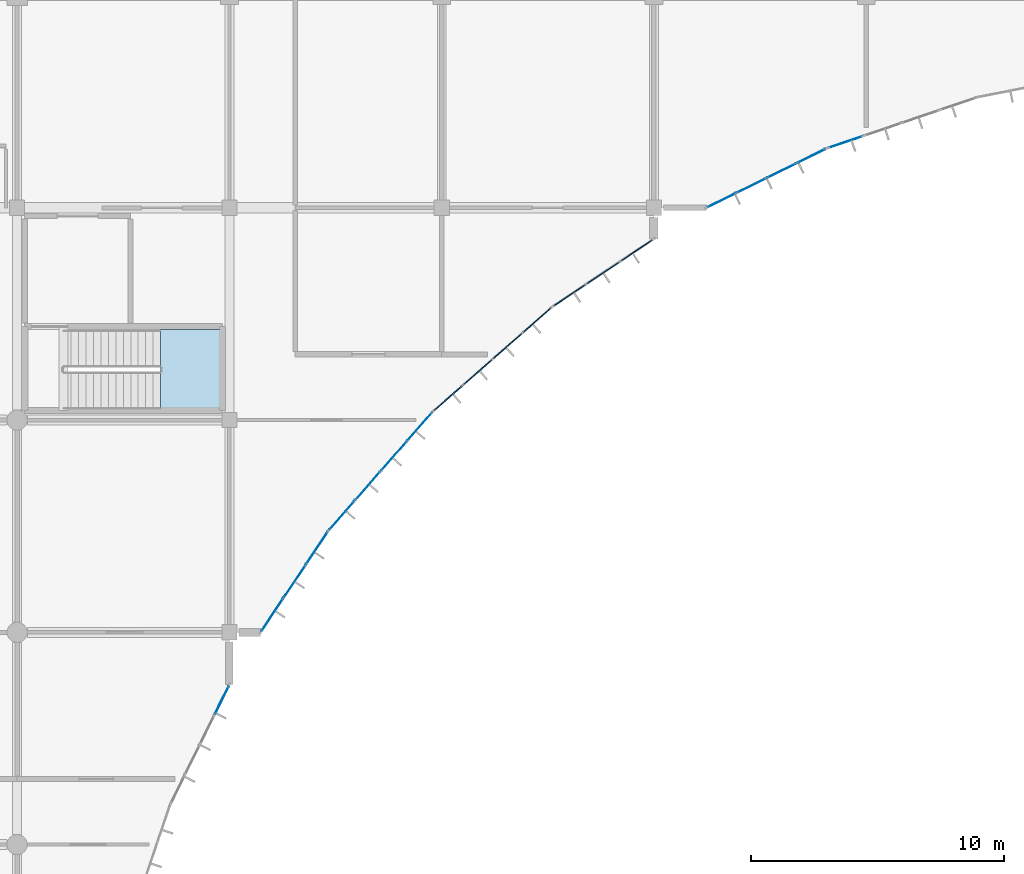
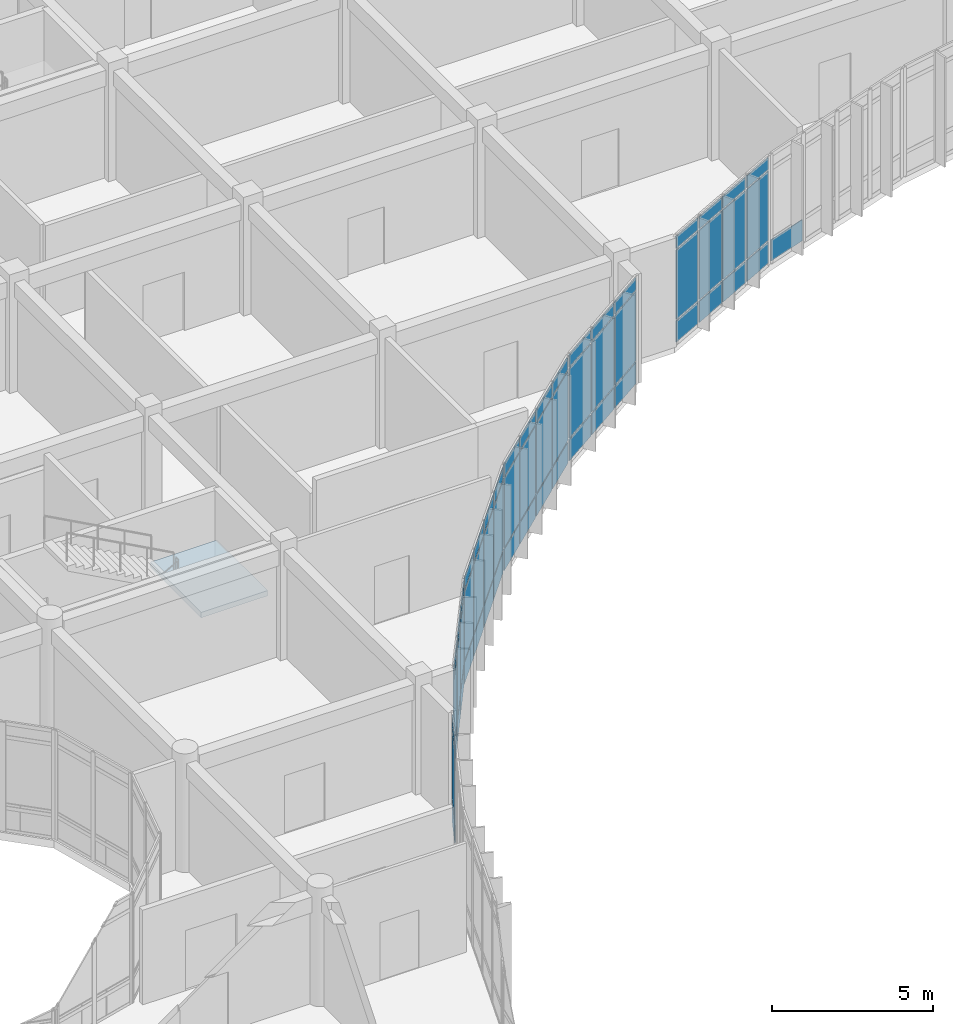
# One storey, part 88 of 144: 58 plates, 1 slab, 8 elements without a shape of their own.
"""IFC4 building model written with IfcOpenShell, lengths in metres."""

from ifc_helpers import new_model, si_unit, direction, frame, origin, origin_2d, place, context, subcontext, project, spatial, polyline, rectangle, outline, extrude, material, layer, layer_set, type_object, element, aggregate, save


model = new_model("IFC4")

# Units and contexts
model_context = context("Model", 3, precision=1e-05, world=origin(), true_north=direction((0.0, 1.0)))
body_context = subcontext(model_context, "Body", "Model", "MODEL_VIEW")
ifc_project = project(units=[si_unit("LENGTHUNIT", "METRE"), si_unit("AREAUNIT", "SQUARE_METRE"), si_unit("VOLUMEUNIT", "CUBIC_METRE"), si_unit("PLANEANGLEUNIT", "RADIAN"), si_unit("MASSUNIT", "GRAM", prefix="KILO")], contexts=[model_context])

# Site, building, storey
site_placement = place(None, origin())
site = spatial("IfcSite", under=ifc_project, at=site_placement, CompositionType="ELEMENT")
building_placement = place(site_placement, origin())
building = spatial("IfcBuilding", under=site, at=building_placement, Name="Bramfleet General Hospital", CompositionType="ELEMENT")
storey_placement = place(building_placement, frame((0.0, 0.0, 4.800048828125)))
storey = spatial("IfcBuildingStorey", under=building, at=storey_placement, Name="L01", CompositionType="ELEMENT", Elevation=4.800048828125)

# Curtain wall, plate
ifc_material_1 = material(Name="Anodised aluminium and low-E triple glazing", Category="aluminium")
ifc_layer_1 = layer(ifc_material_1, 0.179931640625, Name="CWT-CW-17")
ifc_layer_set_1 = layer_set([ifc_layer_1], Name="Anodised aluminium and low-E triple glazing")
curtain_wall_type_1 = type_object("IfcCurtainWallType", Name="CWT-CW-17", PredefinedType="USERDEFINED", material=ifc_layer_set_1)
curtain_wall_1_placement = place(storey_placement, origin())
curtain_wall_1 = element("IfcCurtainWall", 1, at=curtain_wall_1_placement, inside=storey, type_object=curtain_wall_type_1, Name="L01 Curtain Wall 53", ObjectType="Stick curtain wall", PredefinedType="USERDEFINED")
ifc_material_2 = material(Name="Low-E laminated safety glass", Category="glass")
ifc_layer_2 = layer(ifc_material_2, 0.028076171875, Name="CWP-GLZ-1")
ifc_layer_set_2 = layer_set([ifc_layer_2], Name="Low-E laminated safety glass")
plate_type_1 = type_object("IfcPlateType", Name="CWP-GLZ-1", PredefinedType="CURTAIN_PANEL", material=ifc_layer_set_2)
plate_1_placement = place(storey_placement, frame((158.790771484375, 86.603759765625, 0.06494140625), z_axis=(0.0, 0.0, 1.0), x_axis=(-0.946949276617, -0.321383054181, 0.0)))
plate_1 = element("IfcPlate", 2, at=plate_1_placement, type_object=plate_type_1, Name="CW-17 panel 4.1", PredefinedType="CURTAIN_PANEL", context=body_context, shape_type="SweptSolid", body=[
    extrude(rectangle(XDim=1.46484375, YDim=0.028076171875, at=origin_2d()), origin(), (0.0, 0.0, 1.0), 0.802490234375),
])
aggregate(curtain_wall_1, [plate_1])

# Curtain wall, plates
ifc_layer_3 = layer(ifc_material_1, 0.179931640625, Name="CWT-CW-03")
ifc_layer_set_3 = layer_set([ifc_layer_3], Name="Anodised aluminium and low-E triple glazing")
curtain_wall_type_2 = type_object("IfcCurtainWallType", Name="CWT-CW-03", PredefinedType="USERDEFINED", material=ifc_layer_set_3)
curtain_wall_2_placement = place(storey_placement, origin())
curtain_wall_2 = element("IfcCurtainWall", 3, at=curtain_wall_2_placement, inside=storey, type_object=curtain_wall_type_2, Name="L01 Curtain Wall 57", ObjectType="Unitised curtain wall", PredefinedType="USERDEFINED")
plate_2_placement = place(storey_placement, frame((141.929931640625, 75.337890625, 0.06494140625), z_axis=(0.0, 0.0, 1.0), x_axis=(-0.659406233864, -0.75178681735, 0.0)))
plate_2 = element("IfcPlate", 4, at=plate_2_placement, type_object=plate_type_1, Name="CW-03 panel 1.1", PredefinedType="CURTAIN_PANEL", context=body_context, shape_type="SweptSolid", body=[
    extrude(rectangle(XDim=1.464599609375, YDim=0.028076171875, at=origin_2d()), origin(), (0.0, 0.0, 1.0), 0.802490234375),
])
plate_3_placement = place(storey_placement, frame((141.929931640625, 75.337890625, 0.932373046875), z_axis=(0.0, 0.0, 1.0), x_axis=(-0.659406233864, -0.75178681735, 0.0)))
plate_3 = element("IfcPlate", 5, at=plate_3_placement, type_object=plate_type_1, Name="CW-03 panel 1.2", PredefinedType="CURTAIN_PANEL", context=body_context, shape_type="SweptSolid", body=[
    extrude(rectangle(XDim=1.464599609375, YDim=0.028076171875, at=origin_2d()), origin(), (0.0, 0.0, 1.0), 2.625),
])
plate_4_placement = place(storey_placement, frame((141.929931640625, 75.337890625, 3.62255859375), z_axis=(0.0, 0.0, 1.0), x_axis=(-0.659406233864, -0.75178681735, 0.0)))
plate_4 = element("IfcPlate", 6, at=plate_4_placement, type_object=plate_type_1, Name="CW-03 panel 1.3", PredefinedType="CURTAIN_PANEL", context=body_context, shape_type="SweptSolid", body=[
    extrude(rectangle(XDim=1.464599609375, YDim=0.028076171875, at=origin_2d()), origin(), (0.0, 0.0, 1.0), 0.452392578125),
])
plate_5_placement = place(storey_placement, frame((140.906494140625, 74.1708984375, 0.06494140625), z_axis=(0.0, 0.0, 1.0), x_axis=(-0.659406233864, -0.75178681735, 0.0)))
plate_5 = element("IfcPlate", 7, at=plate_5_placement, type_object=plate_type_1, Name="CW-03 panel 2.1", PredefinedType="CURTAIN_PANEL", context=body_context, shape_type="SweptSolid", body=[
    extrude(rectangle(XDim=1.49951171875, YDim=0.028076171875, at=origin_2d()), origin(), (0.0, 0.0, 1.0), 0.802490234375),
])
plate_6_placement = place(storey_placement, frame((140.906494140625, 74.1708984375, 0.932373046875), z_axis=(0.0, 0.0, 1.0), x_axis=(-0.659406233864, -0.75178681735, 0.0)))
plate_6 = element("IfcPlate", 8, at=plate_6_placement, type_object=plate_type_1, Name="CW-03 panel 2.2", PredefinedType="CURTAIN_PANEL", context=body_context, shape_type="SweptSolid", body=[
    extrude(rectangle(XDim=1.49951171875, YDim=0.028076171875, at=origin_2d()), origin(), (0.0, 0.0, 1.0), 2.625),
])
plate_7_placement = place(storey_placement, frame((140.906494140625, 74.1708984375, 3.62255859375), z_axis=(0.0, 0.0, 1.0), x_axis=(-0.659406233864, -0.75178681735, 0.0)))
plate_7 = element("IfcPlate", 9, at=plate_7_placement, type_object=plate_type_1, Name="CW-03 panel 2.3", PredefinedType="CURTAIN_PANEL", context=body_context, shape_type="SweptSolid", body=[
    extrude(rectangle(XDim=1.49951171875, YDim=0.028076171875, at=origin_2d()), origin(), (0.0, 0.0, 1.0), 0.452392578125),
])
plate_8_placement = place(storey_placement, frame((139.87158203125, 72.990966796875, 0.06494140625), z_axis=(0.0, 0.0, 1.0), x_axis=(-0.659406233864, -0.75178681735, 0.0)))
plate_8 = element("IfcPlate", 10, at=plate_8_placement, type_object=plate_type_1, Name="CW-03 panel 3.1", PredefinedType="CURTAIN_PANEL", context=body_context, shape_type="SweptSolid", body=[
    extrude(rectangle(XDim=1.49951171875, YDim=0.028076171875, at=origin_2d()), origin(), (0.0, 0.0, 1.0), 0.802490234375),
])
plate_9_placement = place(storey_placement, frame((139.87158203125, 72.990966796875, 0.932373046875), z_axis=(0.0, 0.0, 1.0), x_axis=(-0.659406233864, -0.75178681735, 0.0)))
plate_9 = element("IfcPlate", 11, at=plate_9_placement, type_object=plate_type_1, Name="CW-03 panel 3.2", PredefinedType="CURTAIN_PANEL", context=body_context, shape_type="SweptSolid", body=[
    extrude(rectangle(XDim=1.49951171875, YDim=0.028076171875, at=origin_2d()), origin(), (0.0, 0.0, 1.0), 2.625),
])
plate_10_placement = place(storey_placement, frame((139.87158203125, 72.990966796875, 3.62255859375), z_axis=(0.0, 0.0, 1.0), x_axis=(-0.659406233864, -0.75178681735, 0.0)))
plate_10 = element("IfcPlate", 12, at=plate_10_placement, type_object=plate_type_1, Name="CW-03 panel 3.3", PredefinedType="CURTAIN_PANEL", context=body_context, shape_type="SweptSolid", body=[
    extrude(rectangle(XDim=1.49951171875, YDim=0.028076171875, at=origin_2d()), origin(), (0.0, 0.0, 1.0), 0.452392578125),
])
plate_11_placement = place(storey_placement, frame((138.84814453125, 71.82421875, 0.06494140625), z_axis=(0.0, 0.0, 1.0), x_axis=(-0.659406233864, -0.75178681735, 0.0)))
plate_11 = element("IfcPlate", 13, at=plate_11_placement, type_object=plate_type_1, Name="CW-03 panel 4.1", PredefinedType="CURTAIN_PANEL", context=body_context, shape_type="SweptSolid", body=[
    extrude(rectangle(XDim=1.464599609375, YDim=0.028076171875, at=origin_2d()), origin(), (0.0, 0.0, 1.0), 0.802490234375),
])
plate_12_placement = place(storey_placement, frame((138.84814453125, 71.82421875, 0.932373046875), z_axis=(0.0, 0.0, 1.0), x_axis=(-0.659406233864, -0.75178681735, 0.0)))
plate_12 = element("IfcPlate", 14, at=plate_12_placement, type_object=plate_type_1, Name="CW-03 panel 4.2", PredefinedType="CURTAIN_PANEL", context=body_context, shape_type="SweptSolid", body=[
    extrude(rectangle(XDim=1.464599609375, YDim=0.028076171875, at=origin_2d()), origin(), (0.0, 0.0, 1.0), 2.625),
])
plate_13_placement = place(storey_placement, frame((138.84814453125, 71.82421875, 3.62255859375), z_axis=(0.0, 0.0, 1.0), x_axis=(-0.659406233864, -0.75178681735, 0.0)))
plate_13 = element("IfcPlate", 15, at=plate_13_placement, type_object=plate_type_1, Name="CW-03 panel 4.3", PredefinedType="CURTAIN_PANEL", context=body_context, shape_type="SweptSolid", body=[
    extrude(rectangle(XDim=1.464599609375, YDim=0.028076171875, at=origin_2d()), origin(), (0.0, 0.0, 1.0), 0.452392578125),
])
aggregate(curtain_wall_2, [plate_2, plate_3, plate_4, plate_5, plate_6, plate_7, plate_8, plate_9, plate_10, plate_11, plate_12, plate_13])

ifc_layer_4 = layer(ifc_material_1, 0.179931640625, Name="CWT-CW-18")
ifc_layer_set_4 = layer_set([ifc_layer_4], Name="Anodised aluminium and low-E triple glazing")
curtain_wall_type_3 = type_object("IfcCurtainWallType", Name="CWT-CW-18", PredefinedType="USERDEFINED", material=ifc_layer_set_4)
curtain_wall_3_placement = place(storey_placement, origin())
curtain_wall_3 = element("IfcCurtainWall", 16, at=curtain_wall_3_placement, inside=storey, type_object=curtain_wall_type_3, Name="L01 Curtain Wall 54", ObjectType="Stick curtain wall", PredefinedType="USERDEFINED")
ifc_layer_5 = layer(ifc_material_2, 0.031982421875, Name="CWP-GLZ-2")
ifc_layer_set_5 = layer_set([ifc_layer_5], Name="Low-E laminated safety glass")
plate_type_2 = type_object("IfcPlateType", Name="CWP-GLZ-2", PredefinedType="CURTAIN_PANEL", material=ifc_layer_set_5)
plate_14_placement = place(storey_placement, frame((157.420654296875, 86.044921875, 0.06494140625), z_axis=(0.0, 0.0, 1.0), x_axis=(-0.896864723513, -0.442304948782, 0.0)))
plate_14 = element("IfcPlate", 17, at=plate_14_placement, type_object=plate_type_2, Name="CW-18 panel 1.1", PredefinedType="CURTAIN_PANEL", context=body_context, shape_type="SweptSolid", body=[
    extrude(rectangle(XDim=1.220947265625, YDim=0.031982421875, at=origin_2d()), origin(), (0.0, 0.0, 1.0), 0.802490234375),
])
plate_15_placement = place(storey_placement, frame((157.420654296875, 86.044921875, 0.932373046875), z_axis=(0.0, 0.0, 1.0), x_axis=(-0.896864723513, -0.442304948782, 0.0)))
plate_15 = element("IfcPlate", 18, at=plate_15_placement, type_object=plate_type_2, Name="CW-18 panel 1.2", PredefinedType="CURTAIN_PANEL", context=body_context, shape_type="SweptSolid", body=[
    extrude(rectangle(XDim=1.220947265625, YDim=0.031982421875, at=origin_2d()), origin(), (0.0, 0.0, 1.0), 2.625),
])
plate_16_placement = place(storey_placement, frame((157.420654296875, 86.044921875, 3.62255859375), z_axis=(0.0, 0.0, 1.0), x_axis=(-0.896864723513, -0.442304948782, 0.0)))
plate_16 = element("IfcPlate", 19, at=plate_16_placement, type_object=plate_type_2, Name="CW-18 panel 1.3", PredefinedType="CURTAIN_PANEL", context=body_context, shape_type="SweptSolid", body=[
    extrude(rectangle(XDim=1.220947265625, YDim=0.031982421875, at=origin_2d()), origin(), (0.0, 0.0, 1.0), 0.452392578125),
])
plate_17_placement = place(storey_placement, frame((156.2470703125, 85.46630859375, 0.06494140625), z_axis=(0.0, 0.0, 1.0), x_axis=(-0.896864723513, -0.442304948782, 0.0)))
plate_17 = element("IfcPlate", 20, at=plate_17_placement, type_object=plate_type_2, Name="CW-18 panel 2.1", PredefinedType="CURTAIN_PANEL", context=body_context, shape_type="SweptSolid", body=[
    extrude(rectangle(XDim=1.256103515625, YDim=0.031982421875, at=origin_2d()), origin(), (0.0, 0.0, 1.0), 0.802490234375),
])
plate_18_placement = place(storey_placement, frame((156.2470703125, 85.46630859375, 0.932373046875), z_axis=(0.0, 0.0, 1.0), x_axis=(-0.896864723513, -0.442304948782, 0.0)))
plate_18 = element("IfcPlate", 21, at=plate_18_placement, type_object=plate_type_2, Name="CW-18 panel 2.2", PredefinedType="CURTAIN_PANEL", context=body_context, shape_type="SweptSolid", body=[
    extrude(rectangle(XDim=1.256103515625, YDim=0.031982421875, at=origin_2d()), origin(), (0.0, 0.0, 1.0), 2.625),
])
plate_19_placement = place(storey_placement, frame((156.2470703125, 85.46630859375, 3.62255859375), z_axis=(0.0, 0.0, 1.0), x_axis=(-0.896864723513, -0.442304948782, 0.0)))
plate_19 = element("IfcPlate", 22, at=plate_19_placement, type_object=plate_type_2, Name="CW-18 panel 2.3", PredefinedType="CURTAIN_PANEL", context=body_context, shape_type="SweptSolid", body=[
    extrude(rectangle(XDim=1.256103515625, YDim=0.031982421875, at=origin_2d()), origin(), (0.0, 0.0, 1.0), 0.452392578125),
])
plate_20_placement = place(storey_placement, frame((155.057861328125, 84.879638671875, 0.06494140625), z_axis=(0.0, 0.0, 1.0), x_axis=(-0.896864723513, -0.442304948782, 0.0)))
plate_20 = element("IfcPlate", 23, at=plate_20_placement, type_object=plate_type_2, Name="CW-18 panel 3.1", PredefinedType="CURTAIN_PANEL", context=body_context, shape_type="SweptSolid", body=[
    extrude(rectangle(XDim=1.256103515625, YDim=0.031982421875, at=origin_2d()), origin(), (0.0, 0.0, 1.0), 0.802490234375),
])
plate_21_placement = place(storey_placement, frame((155.057861328125, 84.879638671875, 0.932373046875), z_axis=(0.0, 0.0, 1.0), x_axis=(-0.896864723513, -0.442304948782, 0.0)))
plate_21 = element("IfcPlate", 24, at=plate_21_placement, type_object=plate_type_2, Name="CW-18 panel 3.2", PredefinedType="CURTAIN_PANEL", context=body_context, shape_type="SweptSolid", body=[
    extrude(rectangle(XDim=1.256103515625, YDim=0.031982421875, at=origin_2d()), origin(), (0.0, 0.0, 1.0), 2.625),
])
plate_22_placement = place(storey_placement, frame((155.057861328125, 84.879638671875, 3.62255859375), z_axis=(0.0, 0.0, 1.0), x_axis=(-0.896864723513, -0.442304948782, 0.0)))
plate_22 = element("IfcPlate", 25, at=plate_22_placement, type_object=plate_type_2, Name="CW-18 panel 3.3", PredefinedType="CURTAIN_PANEL", context=body_context, shape_type="SweptSolid", body=[
    extrude(rectangle(XDim=1.256103515625, YDim=0.031982421875, at=origin_2d()), origin(), (0.0, 0.0, 1.0), 0.452392578125),
])
plate_23_placement = place(storey_placement, frame((153.88427734375, 84.301025390625, 0.06494140625), z_axis=(0.0, 0.0, 1.0), x_axis=(-0.896864723513, -0.442304948782, 0.0)))
plate_23 = element("IfcPlate", 26, at=plate_23_placement, type_object=plate_type_2, Name="CW-18 panel 4.1", PredefinedType="CURTAIN_PANEL", context=body_context, shape_type="SweptSolid", body=[
    extrude(rectangle(XDim=1.220947265625, YDim=0.031982421875, at=origin_2d()), origin(), (0.0, 0.0, 1.0), 0.802490234375),
])
plate_24_placement = place(storey_placement, frame((153.88427734375, 84.301025390625, 0.932373046875), z_axis=(0.0, 0.0, 1.0), x_axis=(-0.896864723513, -0.442304948782, 0.0)))
plate_24 = element("IfcPlate", 27, at=plate_24_placement, type_object=plate_type_2, Name="CW-18 panel 4.2", PredefinedType="CURTAIN_PANEL", context=body_context, shape_type="SweptSolid", body=[
    extrude(rectangle(XDim=1.220947265625, YDim=0.031982421875, at=origin_2d()), origin(), (0.0, 0.0, 1.0), 2.625),
])
plate_25_placement = place(storey_placement, frame((153.88427734375, 84.301025390625, 3.62255859375), z_axis=(0.0, 0.0, 1.0), x_axis=(-0.896864723513, -0.442304948782, 0.0)))
plate_25 = element("IfcPlate", 28, at=plate_25_placement, type_object=plate_type_2, Name="CW-18 panel 4.3", PredefinedType="CURTAIN_PANEL", context=body_context, shape_type="SweptSolid", body=[
    extrude(rectangle(XDim=1.220947265625, YDim=0.031982421875, at=origin_2d()), origin(), (0.0, 0.0, 1.0), 0.452392578125),
])
aggregate(curtain_wall_3, [plate_14, plate_15, plate_16, plate_17, plate_18, plate_19, plate_20, plate_21, plate_22, plate_23, plate_24, plate_25])

ifc_layer_6 = layer(ifc_material_1, 0.179931640625, Name="CWT-CW-04")
ifc_layer_set_6 = layer_set([ifc_layer_6], Name="Anodised aluminium and low-E triple glazing")
curtain_wall_type_4 = type_object("IfcCurtainWallType", Name="CWT-CW-04", PredefinedType="USERDEFINED", material=ifc_layer_set_6)
curtain_wall_4_placement = place(storey_placement, origin())
curtain_wall_4 = element("IfcCurtainWall", 29, at=curtain_wall_4_placement, inside=storey, type_object=curtain_wall_type_4, Name="L01 Curtain Wall 58", ObjectType="Unitised curtain wall", PredefinedType="USERDEFINED")
plate_26_placement = place(storey_placement, frame((137.861572265625, 70.536376953125, 0.06494140625), z_axis=(0.0, 0.0, 1.0), x_axis=(-0.555463530135, -0.831540898988, 0.0)))
plate_26 = element("IfcPlate", 30, at=plate_26_placement, type_object=plate_type_2, Name="CW-04 panel 1.1", PredefinedType="CURTAIN_PANEL", context=body_context, shape_type="SweptSolid", body=[
    extrude(rectangle(XDim=1.5068359375, YDim=0.031982421875, at=origin_2d()), origin(), (0.0, 0.0, 1.0), 0.802490234375),
])
plate_27_placement = place(storey_placement, frame((137.861572265625, 70.536376953125, 0.932373046875), z_axis=(0.0, 0.0, 1.0), x_axis=(-0.555463530135, -0.831540898988, 0.0)))
plate_27 = element("IfcPlate", 31, at=plate_27_placement, type_object=plate_type_2, Name="CW-04 panel 1.2", PredefinedType="CURTAIN_PANEL", context=body_context, shape_type="SweptSolid", body=[
    extrude(rectangle(XDim=1.5068359375, YDim=0.031982421875, at=origin_2d()), origin(), (0.0, 0.0, 1.0), 2.625),
])
plate_28_placement = place(storey_placement, frame((137.861572265625, 70.536376953125, 3.62255859375), z_axis=(0.0, 0.0, 1.0), x_axis=(-0.555463530135, -0.831540898988, 0.0)))
plate_28 = element("IfcPlate", 32, at=plate_28_placement, type_object=plate_type_2, Name="CW-04 panel 1.3", PredefinedType="CURTAIN_PANEL", context=body_context, shape_type="SweptSolid", body=[
    extrude(rectangle(XDim=1.5068359375, YDim=0.031982421875, at=origin_2d()), origin(), (0.0, 0.0, 1.0), 0.452392578125),
])
plate_29_placement = place(storey_placement, frame((136.97607421875, 69.21044921875, 0.06494140625), z_axis=(0.0, 0.0, 1.0), x_axis=(-0.555463530135, -0.831540898988, 0.0)))
plate_29 = element("IfcPlate", 33, at=plate_29_placement, type_object=plate_type_2, Name="CW-04 panel 2.1", PredefinedType="CURTAIN_PANEL", context=body_context, shape_type="SweptSolid", body=[
    extrude(rectangle(XDim=1.541748046875, YDim=0.031982421875, at=origin_2d()), origin(), (0.0, 0.0, 1.0), 0.802490234375),
])
plate_30_placement = place(storey_placement, frame((136.97607421875, 69.21044921875, 0.932373046875), z_axis=(0.0, 0.0, 1.0), x_axis=(-0.555463530135, -0.831540898988, 0.0)))
plate_30 = element("IfcPlate", 34, at=plate_30_placement, type_object=plate_type_2, Name="CW-04 panel 2.2", PredefinedType="CURTAIN_PANEL", context=body_context, shape_type="SweptSolid", body=[
    extrude(rectangle(XDim=1.541748046875, YDim=0.031982421875, at=origin_2d()), origin(), (0.0, 0.0, 1.0), 2.625),
])
plate_31_placement = place(storey_placement, frame((136.97607421875, 69.21044921875, 3.62255859375), z_axis=(0.0, 0.0, 1.0), x_axis=(-0.555463530135, -0.831540898988, 0.0)))
plate_31 = element("IfcPlate", 35, at=plate_31_placement, type_object=plate_type_2, Name="CW-04 panel 2.3", PredefinedType="CURTAIN_PANEL", context=body_context, shape_type="SweptSolid", body=[
    extrude(rectangle(XDim=1.541748046875, YDim=0.031982421875, at=origin_2d()), origin(), (0.0, 0.0, 1.0), 0.452392578125),
])
plate_32_placement = place(storey_placement, frame((136.09033203125, 67.884765625, 0.06494140625), z_axis=(0.0, 0.0, 1.0), x_axis=(-0.555463530135, -0.831540898988, 0.0)))
plate_32 = element("IfcPlate", 36, at=plate_32_placement, type_object=plate_type_2, Name="CW-04 panel 3.1", PredefinedType="CURTAIN_PANEL", context=body_context, shape_type="SweptSolid", body=[
    extrude(rectangle(XDim=1.5068359375, YDim=0.031982421875, at=origin_2d()), origin(), (0.0, 0.0, 1.0), 0.802490234375),
])
plate_33_placement = place(storey_placement, frame((136.09033203125, 67.884765625, 0.932373046875), z_axis=(0.0, 0.0, 1.0), x_axis=(-0.555463530135, -0.831540898988, 0.0)))
plate_33 = element("IfcPlate", 37, at=plate_33_placement, type_object=plate_type_2, Name="CW-04 panel 3.2", PredefinedType="CURTAIN_PANEL", context=body_context, shape_type="SweptSolid", body=[
    extrude(rectangle(XDim=1.5068359375, YDim=0.031982421875, at=origin_2d()), origin(), (0.0, 0.0, 1.0), 2.625),
])
plate_34_placement = place(storey_placement, frame((136.09033203125, 67.884765625, 3.62255859375), z_axis=(0.0, 0.0, 1.0), x_axis=(-0.555463530135, -0.831540898988, 0.0)))
plate_34 = element("IfcPlate", 38, at=plate_34_placement, type_object=plate_type_2, Name="CW-04 panel 3.3", PredefinedType="CURTAIN_PANEL", context=body_context, shape_type="SweptSolid", body=[
    extrude(rectangle(XDim=1.5068359375, YDim=0.031982421875, at=origin_2d()), origin(), (0.0, 0.0, 1.0), 0.452392578125),
])
aggregate(curtain_wall_4, [plate_26, plate_27, plate_28, plate_29, plate_30, plate_31, plate_32, plate_33, plate_34])

ifc_layer_7 = layer(ifc_material_1, 0.179931640625, Name="CWT-CW-01")
ifc_layer_set_7 = layer_set([ifc_layer_7], Name="Anodised aluminium and low-E triple glazing")
curtain_wall_type_5 = type_object("IfcCurtainWallType", Name="CWT-CW-01", PredefinedType="USERDEFINED", material=ifc_layer_set_7)
curtain_wall_5_placement = place(storey_placement, origin())
curtain_wall_5 = element("IfcCurtainWall", 39, at=curtain_wall_5_placement, inside=storey, type_object=curtain_wall_type_5, Name="L01 Curtain Wall 55", ObjectType="Unitised curtain wall", PredefinedType="USERDEFINED")
ifc_layer_8 = layer(ifc_material_2, 0.035888671875, Name="CWP-GLZ-3")
ifc_layer_set_8 = layer_set([ifc_layer_8], Name="Low-E laminated safety glass")
plate_type_3 = type_object("IfcPlateType", Name="CWP-GLZ-3", PredefinedType="CURTAIN_PANEL", material=ifc_layer_set_8)
plate_35_placement = place(storey_placement, frame((150.515380859375, 82.3095703125, 0.06494140625), z_axis=(0.0, 0.0, 1.0), x_axis=(-0.831540898988, -0.555463530135, 0.0)))
plate_35 = element("IfcPlate", 40, at=plate_35_placement, type_object=plate_type_3, Name="CW-01 panel 1.1", PredefinedType="CURTAIN_PANEL", context=body_context, shape_type="SweptSolid", body=[
    extrude(rectangle(XDim=1.5068359375, YDim=0.035888671875, at=origin_2d()), origin(), (0.0, 0.0, 1.0), 0.802490234375),
])
plate_36_placement = place(storey_placement, frame((150.515380859375, 82.3095703125, 0.932373046875), z_axis=(0.0, 0.0, 1.0), x_axis=(-0.831540898988, -0.555463530135, 0.0)))
plate_36 = element("IfcPlate", 41, at=plate_36_placement, type_object=plate_type_3, Name="CW-01 panel 1.2", PredefinedType="CURTAIN_PANEL", context=body_context, shape_type="SweptSolid", body=[
    extrude(rectangle(XDim=1.5068359375, YDim=0.035888671875, at=origin_2d()), origin(), (0.0, 0.0, 1.0), 2.625),
])
plate_37_placement = place(storey_placement, frame((150.515380859375, 82.3095703125, 3.62255859375), z_axis=(0.0, 0.0, 1.0), x_axis=(-0.831540898988, -0.555463530135, 0.0)))
plate_37 = element("IfcPlate", 42, at=plate_37_placement, type_object=plate_type_3, Name="CW-01 panel 1.3", PredefinedType="CURTAIN_PANEL", context=body_context, shape_type="SweptSolid", body=[
    extrude(rectangle(XDim=1.5068359375, YDim=0.035888671875, at=origin_2d()), origin(), (0.0, 0.0, 1.0), 0.452392578125),
])
plate_38_placement = place(storey_placement, frame((149.189453125, 81.424072265625, 0.06494140625), z_axis=(0.0, 0.0, 1.0), x_axis=(-0.831540898988, -0.555463530135, 0.0)))
plate_38 = element("IfcPlate", 43, at=plate_38_placement, type_object=plate_type_3, Name="CW-01 panel 2.1", PredefinedType="CURTAIN_PANEL", context=body_context, shape_type="SweptSolid", body=[
    extrude(rectangle(XDim=1.541748046875, YDim=0.035888671875, at=origin_2d()), origin(), (0.0, 0.0, 1.0), 0.802490234375),
])
plate_39_placement = place(storey_placement, frame((149.189453125, 81.424072265625, 0.932373046875), z_axis=(0.0, 0.0, 1.0), x_axis=(-0.831540898988, -0.555463530135, 0.0)))
plate_39 = element("IfcPlate", 44, at=plate_39_placement, type_object=plate_type_3, Name="CW-01 panel 2.2", PredefinedType="CURTAIN_PANEL", context=body_context, shape_type="SweptSolid", body=[
    extrude(rectangle(XDim=1.541748046875, YDim=0.035888671875, at=origin_2d()), origin(), (0.0, 0.0, 1.0), 2.625),
])
plate_40_placement = place(storey_placement, frame((149.189453125, 81.424072265625, 3.62255859375), z_axis=(0.0, 0.0, 1.0), x_axis=(-0.831540898988, -0.555463530135, 0.0)))
plate_40 = element("IfcPlate", 45, at=plate_40_placement, type_object=plate_type_3, Name="CW-01 panel 2.3", PredefinedType="CURTAIN_PANEL", context=body_context, shape_type="SweptSolid", body=[
    extrude(rectangle(XDim=1.541748046875, YDim=0.035888671875, at=origin_2d()), origin(), (0.0, 0.0, 1.0), 0.452392578125),
])
plate_41_placement = place(storey_placement, frame((147.86376953125, 80.538330078125, 0.06494140625), z_axis=(0.0, 0.0, 1.0), x_axis=(-0.831540898988, -0.555463530135, 0.0)))
plate_41 = element("IfcPlate", 46, at=plate_41_placement, type_object=plate_type_3, Name="CW-01 panel 3.1", PredefinedType="CURTAIN_PANEL", context=body_context, shape_type="SweptSolid", body=[
    extrude(rectangle(XDim=1.5068359375, YDim=0.035888671875, at=origin_2d()), origin(), (0.0, 0.0, 1.0), 0.802490234375),
])
plate_42_placement = place(storey_placement, frame((147.86376953125, 80.538330078125, 0.932373046875), z_axis=(0.0, 0.0, 1.0), x_axis=(-0.831540898988, -0.555463530135, 0.0)))
plate_42 = element("IfcPlate", 47, at=plate_42_placement, type_object=plate_type_3, Name="CW-01 panel 3.2", PredefinedType="CURTAIN_PANEL", context=body_context, shape_type="SweptSolid", body=[
    extrude(rectangle(XDim=1.5068359375, YDim=0.035888671875, at=origin_2d()), origin(), (0.0, 0.0, 1.0), 2.625),
])
plate_43_placement = place(storey_placement, frame((147.86376953125, 80.538330078125, 3.62255859375), z_axis=(0.0, 0.0, 1.0), x_axis=(-0.831540898988, -0.555463530135, 0.0)))
plate_43 = element("IfcPlate", 48, at=plate_43_placement, type_object=plate_type_3, Name="CW-01 panel 3.3", PredefinedType="CURTAIN_PANEL", context=body_context, shape_type="SweptSolid", body=[
    extrude(rectangle(XDim=1.5068359375, YDim=0.035888671875, at=origin_2d()), origin(), (0.0, 0.0, 1.0), 0.452392578125),
])
aggregate(curtain_wall_5, [plate_35, plate_36, plate_37, plate_38, plate_39, plate_40, plate_41, plate_42, plate_43])

ifc_layer_9 = layer(ifc_material_1, 0.179931640625, Name="CWT-CW-05")
ifc_layer_set_9 = layer_set([ifc_layer_9], Name="Anodised aluminium and low-E triple glazing")
curtain_wall_type_6 = type_object("IfcCurtainWallType", Name="CWT-CW-05", PredefinedType="USERDEFINED", material=ifc_layer_set_9)
curtain_wall_6_placement = place(storey_placement, origin())
curtain_wall_6 = element("IfcCurtainWall", 49, at=curtain_wall_6_placement, inside=storey, type_object=curtain_wall_type_6, Name="L01 Curtain Wall 59", ObjectType="Unitised curtain wall", PredefinedType="USERDEFINED")
plate_44_placement = place(storey_placement, frame((134.09912109375, 64.515625, 0.06494140625), z_axis=(0.0, 0.0, 1.0), x_axis=(-0.442304948782, -0.896864723513, 0.0)))
plate_44 = element("IfcPlate", 50, at=plate_44_placement, type_object=plate_type_3, Name="CW-05 panel 1.1", PredefinedType="CURTAIN_PANEL", context=body_context, shape_type="SweptSolid", body=[
    extrude(rectangle(XDim=1.220947265625, YDim=0.035888671875, at=origin_2d()), origin(), (0.0, 0.0, 1.0), 0.802490234375),
])
plate_45_placement = place(storey_placement, frame((134.09912109375, 64.515625, 0.932373046875), z_axis=(0.0, 0.0, 1.0), x_axis=(-0.442304948782, -0.896864723513, 0.0)))
plate_45 = element("IfcPlate", 51, at=plate_45_placement, type_object=plate_type_3, Name="CW-05 panel 1.2", PredefinedType="CURTAIN_PANEL", context=body_context, shape_type="SweptSolid", body=[
    extrude(rectangle(XDim=1.220947265625, YDim=0.035888671875, at=origin_2d()), origin(), (0.0, 0.0, 1.0), 2.625),
])
plate_46_placement = place(storey_placement, frame((134.09912109375, 64.515625, 3.62255859375), z_axis=(0.0, 0.0, 1.0), x_axis=(-0.442304948782, -0.896864723513, 0.0)))
plate_46 = element("IfcPlate", 52, at=plate_46_placement, type_object=plate_type_3, Name="CW-05 panel 1.3", PredefinedType="CURTAIN_PANEL", context=body_context, shape_type="SweptSolid", body=[
    extrude(rectangle(XDim=1.220947265625, YDim=0.035888671875, at=origin_2d()), origin(), (0.0, 0.0, 1.0), 0.452392578125),
])
aggregate(curtain_wall_6, [plate_44, plate_45, plate_46])

ifc_layer_10 = layer(ifc_material_1, 0.179931640625, Name="CWT-CW-02")
ifc_layer_set_10 = layer_set([ifc_layer_10], Name="Anodised aluminium and low-E triple glazing")
curtain_wall_type_7 = type_object("IfcCurtainWallType", Name="CWT-CW-02", PredefinedType="USERDEFINED", material=ifc_layer_set_10)
curtain_wall_7_placement = place(storey_placement, origin())
curtain_wall_7 = element("IfcCurtainWall", 53, at=curtain_wall_7_placement, inside=storey, type_object=curtain_wall_type_7, Name="L01 Curtain Wall 56", ObjectType="Unitised curtain wall", PredefinedType="USERDEFINED")
ifc_layer_11 = layer(ifc_material_2, 0.0419921875, Name="CWP-GLZ-4")
ifc_layer_set_11 = layer_set([ifc_layer_11], Name="Low-E laminated safety glass")
plate_type_4 = type_object("IfcPlateType", Name="CWP-GLZ-4", PredefinedType="CURTAIN_PANEL", material=ifc_layer_set_11)
plate_47_placement = place(storey_placement, frame((146.575927734375, 79.552001953125, 0.06494140625), z_axis=(0.0, 0.0, 1.0), x_axis=(-0.75178681735, -0.659406233864, 0.0)))
plate_47 = element("IfcPlate", 54, at=plate_47_placement, type_object=plate_type_4, Name="CW-02 panel 1.1", PredefinedType="CURTAIN_PANEL", context=body_context, shape_type="SweptSolid", body=[
    extrude(rectangle(XDim=1.464599609375, YDim=0.0419921875, at=origin_2d()), origin(), (0.0, 0.0, 1.0), 0.802490234375),
])
plate_48_placement = place(storey_placement, frame((146.575927734375, 79.552001953125, 0.932373046875), z_axis=(0.0, 0.0, 1.0), x_axis=(-0.75178681735, -0.659406233864, 0.0)))
plate_48 = element("IfcPlate", 55, at=plate_48_placement, type_object=plate_type_4, Name="CW-02 panel 1.2", PredefinedType="CURTAIN_PANEL", context=body_context, shape_type="SweptSolid", body=[
    extrude(rectangle(XDim=1.464599609375, YDim=0.0419921875, at=origin_2d()), origin(), (0.0, 0.0, 1.0), 2.625),
])
plate_49_placement = place(storey_placement, frame((146.575927734375, 79.552001953125, 3.62255859375), z_axis=(0.0, 0.0, 1.0), x_axis=(-0.75178681735, -0.659406233864, 0.0)))
plate_49 = element("IfcPlate", 56, at=plate_49_placement, type_object=plate_type_4, Name="CW-02 panel 1.3", PredefinedType="CURTAIN_PANEL", context=body_context, shape_type="SweptSolid", body=[
    extrude(rectangle(XDim=1.464599609375, YDim=0.0419921875, at=origin_2d()), origin(), (0.0, 0.0, 1.0), 0.452392578125),
])
plate_50_placement = place(storey_placement, frame((145.408935546875, 78.528564453125, 0.06494140625), z_axis=(0.0, 0.0, 1.0), x_axis=(-0.75178681735, -0.659406233864, 0.0)))
plate_50 = element("IfcPlate", 57, at=plate_50_placement, type_object=plate_type_4, Name="CW-02 panel 2.1", PredefinedType="CURTAIN_PANEL", context=body_context, shape_type="SweptSolid", body=[
    extrude(rectangle(XDim=1.49951171875, YDim=0.0419921875, at=origin_2d()), origin(), (0.0, 0.0, 1.0), 0.802490234375),
])
plate_51_placement = place(storey_placement, frame((145.408935546875, 78.528564453125, 0.932373046875), z_axis=(0.0, 0.0, 1.0), x_axis=(-0.75178681735, -0.659406233864, 0.0)))
plate_51 = element("IfcPlate", 58, at=plate_51_placement, type_object=plate_type_4, Name="CW-02 panel 2.2", PredefinedType="CURTAIN_PANEL", context=body_context, shape_type="SweptSolid", body=[
    extrude(rectangle(XDim=1.49951171875, YDim=0.0419921875, at=origin_2d()), origin(), (0.0, 0.0, 1.0), 2.625),
])
plate_52_placement = place(storey_placement, frame((145.408935546875, 78.528564453125, 3.62255859375), z_axis=(0.0, 0.0, 1.0), x_axis=(-0.75178681735, -0.659406233864, 0.0)))
plate_52 = element("IfcPlate", 59, at=plate_52_placement, type_object=plate_type_4, Name="CW-02 panel 2.3", PredefinedType="CURTAIN_PANEL", context=body_context, shape_type="SweptSolid", body=[
    extrude(rectangle(XDim=1.49951171875, YDim=0.0419921875, at=origin_2d()), origin(), (0.0, 0.0, 1.0), 0.452392578125),
])
plate_53_placement = place(storey_placement, frame((144.22900390625, 77.493408203125, 0.06494140625), z_axis=(0.0, 0.0, 1.0), x_axis=(-0.75178681735, -0.659406233864, 0.0)))
plate_53 = element("IfcPlate", 60, at=plate_53_placement, type_object=plate_type_4, Name="CW-02 panel 3.1", PredefinedType="CURTAIN_PANEL", context=body_context, shape_type="SweptSolid", body=[
    extrude(rectangle(XDim=1.49951171875, YDim=0.0419921875, at=origin_2d()), origin(), (0.0, 0.0, 1.0), 0.802490234375),
])
plate_54_placement = place(storey_placement, frame((144.22900390625, 77.493408203125, 0.932373046875), z_axis=(0.0, 0.0, 1.0), x_axis=(-0.75178681735, -0.659406233864, 0.0)))
plate_54 = element("IfcPlate", 61, at=plate_54_placement, type_object=plate_type_4, Name="CW-02 panel 3.2", PredefinedType="CURTAIN_PANEL", context=body_context, shape_type="SweptSolid", body=[
    extrude(rectangle(XDim=1.49951171875, YDim=0.0419921875, at=origin_2d()), origin(), (0.0, 0.0, 1.0), 2.625),
])
plate_55_placement = place(storey_placement, frame((144.22900390625, 77.493408203125, 3.62255859375), z_axis=(0.0, 0.0, 1.0), x_axis=(-0.75178681735, -0.659406233864, 0.0)))
plate_55 = element("IfcPlate", 62, at=plate_55_placement, type_object=plate_type_4, Name="CW-02 panel 3.3", PredefinedType="CURTAIN_PANEL", context=body_context, shape_type="SweptSolid", body=[
    extrude(rectangle(XDim=1.49951171875, YDim=0.0419921875, at=origin_2d()), origin(), (0.0, 0.0, 1.0), 0.452392578125),
])
plate_56_placement = place(storey_placement, frame((143.062255859375, 76.469970703125, 0.06494140625), z_axis=(0.0, 0.0, 1.0), x_axis=(-0.75178681735, -0.659406233864, 0.0)))
plate_56 = element("IfcPlate", 63, at=plate_56_placement, type_object=plate_type_4, Name="CW-02 panel 4.1", PredefinedType="CURTAIN_PANEL", context=body_context, shape_type="SweptSolid", body=[
    extrude(rectangle(XDim=1.464599609375, YDim=0.0419921875, at=origin_2d()), origin(), (0.0, 0.0, 1.0), 0.802490234375),
])
plate_57_placement = place(storey_placement, frame((143.062255859375, 76.469970703125, 0.932373046875), z_axis=(0.0, 0.0, 1.0), x_axis=(-0.75178681735, -0.659406233864, 0.0)))
plate_57 = element("IfcPlate", 64, at=plate_57_placement, type_object=plate_type_4, Name="CW-02 panel 4.2", PredefinedType="CURTAIN_PANEL", context=body_context, shape_type="SweptSolid", body=[
    extrude(rectangle(XDim=1.464599609375, YDim=0.0419921875, at=origin_2d()), origin(), (0.0, 0.0, 1.0), 2.625),
])
plate_58_placement = place(storey_placement, frame((143.062255859375, 76.469970703125, 3.62255859375), z_axis=(0.0, 0.0, 1.0), x_axis=(-0.75178681735, -0.659406233864, 0.0)))
plate_58 = element("IfcPlate", 65, at=plate_58_placement, type_object=plate_type_4, Name="CW-02 panel 4.3", PredefinedType="CURTAIN_PANEL", context=body_context, shape_type="SweptSolid", body=[
    extrude(rectangle(XDim=1.464599609375, YDim=0.0419921875, at=origin_2d()), origin(), (0.0, 0.0, 1.0), 0.452392578125),
])
aggregate(curtain_wall_7, [plate_47, plate_48, plate_49, plate_50, plate_51, plate_52, plate_53, plate_54, plate_55, plate_56, plate_57, plate_58])

# Stair, slab
ifc_material_3 = material(Name="Concrete C35/45", Category="concrete")
stair_type = type_object("IfcStairType", Name="STR-T2", PredefinedType="HALF_TURN_STAIR", material=ifc_material_3)
stair_placement = place(storey_placement, origin())
stair = element("IfcStair", 66, at=stair_placement, inside=storey, type_object=stair_type, Name="L01 Core C12 (East Diagnostic Base Escape) Protected Escape Stair", PredefinedType="HALF_TURN_STAIR")
ifc_layer_12 = layer(ifc_material_3, 0.199951171875, Name="SL-LND-200")
ifc_layer_set_12 = layer_set([ifc_layer_12], Name="Concrete C35/45")
slab_type = type_object("IfcSlabType", Name="SL-LND-200", PredefinedType="LANDING", material=ifc_layer_set_12)
slab_placement = place(storey_placement, frame((0.0, 0.0, 2.050048828125)))
slab = element("IfcSlab", 67, at=slab_placement, type_object=slab_type, Name="ST-C12 landing 1", PredefinedType="LANDING", context=body_context, shape_type="SweptSolid", body=[
    extrude(outline(polyline([(131.675048828125, 76.02001953125), (134.06005859375, 76.02001953125), (134.06005859375, 79.179931640625), (131.675048828125, 79.179931640625), (131.675048828125, 76.02001953125)])), origin(), (0.0, 0.0, 1.0), 0.199951171875),
])
aggregate(stair, [slab])

save(model, "model.ifc")
